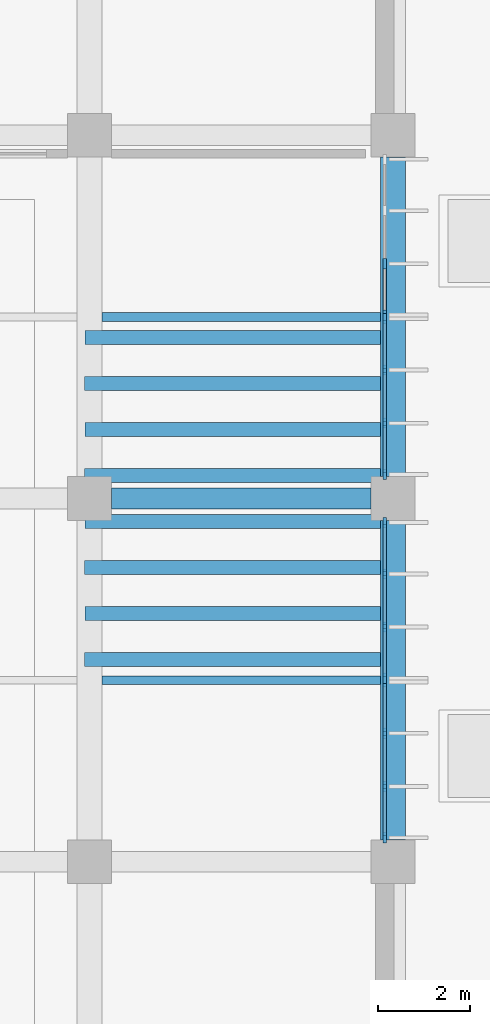
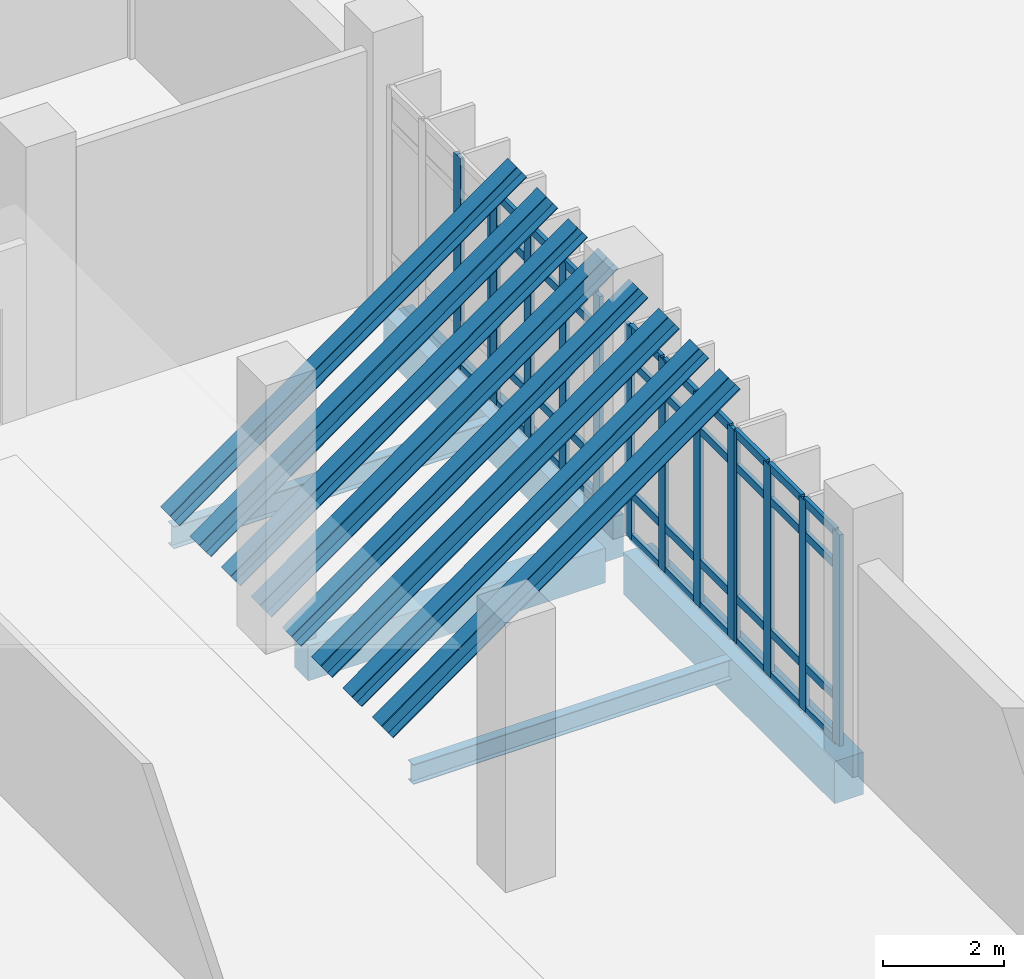
# One storey, part 37 of 79: 59 members, 5 beams, 4 elements without a shape of their own.
"""IFC4 building model written with IfcOpenShell, lengths in metres."""

from ifc_helpers import new_model, si_unit, direction, frame, origin, origin_2d, place, context, subcontext, project, spatial, rectangle, i_section, extrude, material, layer, layer_set, material_profile, profile_set, type_object, element, aggregate, save


model = new_model("IFC4")

# Units and contexts
model_context = context("Model", 3, precision=1e-05, world=origin(), true_north=direction((0.0, 1.0)))
body_context = subcontext(model_context, "Body", "Model", "MODEL_VIEW")
ifc_project = project(units=[si_unit("LENGTHUNIT", "METRE"), si_unit("AREAUNIT", "SQUARE_METRE"), si_unit("VOLUMEUNIT", "CUBIC_METRE"), si_unit("PLANEANGLEUNIT", "RADIAN"), si_unit("MASSUNIT", "GRAM", prefix="KILO")], contexts=[model_context])

# Site, building, storey
site_placement = place(None, origin())
site = spatial("IfcSite", under=ifc_project, at=site_placement, CompositionType="ELEMENT")
building_placement = place(site_placement, origin())
building = spatial("IfcBuilding", under=site, at=building_placement, Name="Kelarvand Opera House", CompositionType="ELEMENT")
storey_placement = place(building_placement, origin())
storey = spatial("IfcBuildingStorey", under=building, at=storey_placement, Name="L00", CompositionType="ELEMENT", Elevation=0.0)

# Curtain wall, members
ifc_material_1 = material(Name="Thermally broken aluminium and low-E glazing", Category="aluminium")
ifc_layer = layer(ifc_material_1, 0.219970703125, Name="Thermally broken aluminium and low-E glazing", Category="aluminium")
ifc_layer_set = layer_set([ifc_layer], Name="Thermally broken aluminium and low-E glazing")
curtain_wall_type = type_object("IfcCurtainWallType", Name="Unitised Low-E Curtain Wall 3461x4250 Mod 1150 CWF-01", PredefinedType="USERDEFINED", material=ifc_layer_set)
curtain_wall_1_placement = place(storey_placement, origin())
curtain_wall_1 = element("IfcCurtainWall", 1, at=curtain_wall_1_placement, inside=storey, type_object=curtain_wall_type, Name="V1 L00 Curtain Wall CWF-01 (1)", ObjectType="UNITISED CURTAIN WALL", PredefinedType="USERDEFINED")
ifc_material_2 = material(Name="Thermally broken anodised aluminium", Category="aluminium")
ifc_material_profile_1 = material_profile(ifc_material_2, rectangle(XDim=0.074951171875, YDim=0.219970703125, at=origin_2d()), Name="ALU MULLION 75x220", Category="aluminium")
ifc_profile_set_1 = profile_set([ifc_material_profile_1], Name="Thermally broken anodised aluminium")
member_type_1 = type_object("IfcMemberType", Name="Curtain Wall Mullion 75x220 Heavy Plaza", PredefinedType="MULLION", material=ifc_profile_set_1)
member_1_placement = place(storey_placement, frame((141.6201171875, 67.607666015625, 0.0), z_axis=(0.0, 0.0, 1.0), x_axis=(1.0, 0.0, 0.0)))
member_1 = element("IfcMember", 2, at=member_1_placement, type_object=member_type_1, Name="CWF-01 mullion 3", PredefinedType="MULLION", context=body_context, shape_type="SweptSolid", body=[
    extrude(rectangle(XDim=0.074951171875, YDim=0.219970703125, at=origin_2d()), origin(), (0.0, 0.0, 1.0), 4.25),
])
member_2_placement = place(storey_placement, frame((141.6201171875, 66.491455078125, 0.0), z_axis=(0.0, 0.0, 1.0), x_axis=(1.0, 0.0, 0.0)))
member_2 = element("IfcMember", 3, at=member_2_placement, type_object=member_type_1, Name="CWF-01 mullion 4", PredefinedType="MULLION", context=body_context, shape_type="SweptSolid", body=[
    extrude(rectangle(XDim=0.074951171875, YDim=0.219970703125, at=origin_2d()), origin(), (0.0, 0.0, 1.0), 4.25),
])

curtain_wall_2_placement = place(storey_placement, origin())
curtain_wall_2 = element("IfcCurtainWall", 4, at=curtain_wall_2_placement, inside=storey, type_object=curtain_wall_type, Name="V1 L00 Curtain Wall CWF-01 (2)", ObjectType="UNITISED CURTAIN WALL", PredefinedType="USERDEFINED")
member_3_placement = place(storey_placement, frame((141.6201171875, 66.41259765625, 0.0), z_axis=(0.0, 0.0, 1.0), x_axis=(1.0, 0.0, 0.0)))
member_3 = element("IfcMember", 5, at=member_3_placement, type_object=member_type_1, Name="CWF-01 mullion 1", PredefinedType="MULLION", context=body_context, shape_type="SweptSolid", body=[
    extrude(rectangle(XDim=0.074951171875, YDim=0.219970703125, at=origin_2d()), origin(), (0.0, 0.0, 1.0), 4.25),
])
member_4_placement = place(storey_placement, frame((141.6201171875, 65.294921875, 0.0), z_axis=(0.0, 0.0, 1.0), x_axis=(1.0, 0.0, 0.0)))
member_4 = element("IfcMember", 6, at=member_4_placement, type_object=member_type_1, Name="CWF-01 mullion 2", PredefinedType="MULLION", context=body_context, shape_type="SweptSolid", body=[
    extrude(rectangle(XDim=0.074951171875, YDim=0.219970703125, at=origin_2d()), origin(), (0.0, 0.0, 1.0), 4.25),
])
member_5_placement = place(storey_placement, frame((141.6201171875, 64.139892578125, 0.0), z_axis=(0.0, 0.0, 1.0), x_axis=(1.0, 0.0, 0.0)))
member_5 = element("IfcMember", 7, at=member_5_placement, type_object=member_type_1, Name="CWF-01 mullion 3", PredefinedType="MULLION", context=body_context, shape_type="SweptSolid", body=[
    extrude(rectangle(XDim=0.074951171875, YDim=0.219970703125, at=origin_2d()), origin(), (0.0, 0.0, 1.0), 4.25),
])
member_6_placement = place(storey_placement, frame((141.6201171875, 63.0224609375, 0.0), z_axis=(0.0, 0.0, 1.0), x_axis=(1.0, 0.0, 0.0)))
member_6 = element("IfcMember", 8, at=member_6_placement, type_object=member_type_1, Name="CWF-01 mullion 4", PredefinedType="MULLION", context=body_context, shape_type="SweptSolid", body=[
    extrude(rectangle(XDim=0.074951171875, YDim=0.219970703125, at=origin_2d()), origin(), (0.0, 0.0, 1.0), 4.25),
])

curtain_wall_3_placement = place(storey_placement, origin())
curtain_wall_3 = element("IfcCurtainWall", 9, at=curtain_wall_3_placement, inside=storey, type_object=curtain_wall_type, Name="V1 L00 Curtain Wall CWF-01 (3)", ObjectType="UNITISED CURTAIN WALL", PredefinedType="USERDEFINED")
member_7_placement = place(storey_placement, frame((141.6201171875, 61.9775390625, 0.0), z_axis=(0.0, 0.0, 1.0), x_axis=(1.0, 0.0, 0.0)))
member_7 = element("IfcMember", 10, at=member_7_placement, type_object=member_type_1, Name="CWF-01 mullion 1", PredefinedType="MULLION", context=body_context, shape_type="SweptSolid", body=[
    extrude(rectangle(XDim=0.074951171875, YDim=0.219970703125, at=origin_2d()), origin(), (0.0, 0.0, 1.0), 4.25),
])
member_8_placement = place(storey_placement, frame((141.6201171875, 60.861328125, 0.0), z_axis=(0.0, 0.0, 1.0), x_axis=(1.0, 0.0, 0.0)))
member_8 = element("IfcMember", 11, at=member_8_placement, type_object=member_type_1, Name="CWF-01 mullion 2", PredefinedType="MULLION", context=body_context, shape_type="SweptSolid", body=[
    extrude(rectangle(XDim=0.074951171875, YDim=0.219970703125, at=origin_2d()), origin(), (0.0, 0.0, 1.0), 4.25),
])
member_9_placement = place(storey_placement, frame((141.6201171875, 59.707763671875, 0.0), z_axis=(0.0, 0.0, 1.0), x_axis=(1.0, 0.0, 0.0)))
member_9 = element("IfcMember", 12, at=member_9_placement, type_object=member_type_1, Name="CWF-01 mullion 3", PredefinedType="MULLION", context=body_context, shape_type="SweptSolid", body=[
    extrude(rectangle(XDim=0.074951171875, YDim=0.219970703125, at=origin_2d()), origin(), (0.0, 0.0, 1.0), 4.25),
])
member_10_placement = place(storey_placement, frame((141.6201171875, 58.591552734375, 0.0), z_axis=(0.0, 0.0, 1.0), x_axis=(1.0, 0.0, 0.0)))
member_10 = element("IfcMember", 13, at=member_10_placement, type_object=member_type_1, Name="CWF-01 mullion 4", PredefinedType="MULLION", context=body_context, shape_type="SweptSolid", body=[
    extrude(rectangle(XDim=0.074951171875, YDim=0.219970703125, at=origin_2d()), origin(), (0.0, 0.0, 1.0), 4.25),
])

curtain_wall_4_placement = place(storey_placement, origin())
curtain_wall_4 = element("IfcCurtainWall", 14, at=curtain_wall_4_placement, inside=storey, type_object=curtain_wall_type, Name="V1 L00 Curtain Wall CWF-01 (4)", ObjectType="UNITISED CURTAIN WALL", PredefinedType="USERDEFINED")
member_11_placement = place(storey_placement, frame((141.6201171875, 58.512451171875, 0.0), z_axis=(0.0, 0.0, 1.0), x_axis=(1.0, 0.0, 0.0)))
member_11 = element("IfcMember", 15, at=member_11_placement, type_object=member_type_1, Name="CWF-01 mullion 1", PredefinedType="MULLION", context=body_context, shape_type="SweptSolid", body=[
    extrude(rectangle(XDim=0.074951171875, YDim=0.219970703125, at=origin_2d()), origin(), (0.0, 0.0, 1.0), 4.25),
])
member_12_placement = place(storey_placement, frame((141.6201171875, 57.39501953125, 0.0), z_axis=(0.0, 0.0, 1.0), x_axis=(1.0, 0.0, 0.0)))
member_12 = element("IfcMember", 16, at=member_12_placement, type_object=member_type_1, Name="CWF-01 mullion 2", PredefinedType="MULLION", context=body_context, shape_type="SweptSolid", body=[
    extrude(rectangle(XDim=0.074951171875, YDim=0.219970703125, at=origin_2d()), origin(), (0.0, 0.0, 1.0), 4.25),
])
member_13_placement = place(storey_placement, frame((141.6201171875, 56.239990234375, 0.0), z_axis=(0.0, 0.0, 1.0), x_axis=(1.0, 0.0, 0.0)))
member_13 = element("IfcMember", 17, at=member_13_placement, type_object=member_type_1, Name="CWF-01 mullion 3", PredefinedType="MULLION", context=body_context, shape_type="SweptSolid", body=[
    extrude(rectangle(XDim=0.074951171875, YDim=0.219970703125, at=origin_2d()), origin(), (0.0, 0.0, 1.0), 4.25),
])
member_14_placement = place(storey_placement, frame((141.6201171875, 55.12255859375, 0.0), z_axis=(0.0, 0.0, 1.0), x_axis=(1.0, 0.0, 0.0)))
member_14 = element("IfcMember", 18, at=member_14_placement, type_object=member_type_1, Name="CWF-01 mullion 4", PredefinedType="MULLION", context=body_context, shape_type="SweptSolid", body=[
    extrude(rectangle(XDim=0.074951171875, YDim=0.219970703125, at=origin_2d()), origin(), (0.0, 0.0, 1.0), 4.25),
])

# Member
ifc_material_profile_2 = material_profile(ifc_material_2, rectangle(XDim=0.074951171875, YDim=0.159912109375, at=origin_2d()), Name="ALU TRANSOM 75x160", Category="aluminium")
ifc_profile_set_2 = profile_set([ifc_material_profile_2], Name="Thermally broken anodised aluminium")
member_type_2 = type_object("IfcMemberType", Name="Curtain Wall Transom 75x160 Heavy Plaza", PredefinedType="USERDEFINED", material=ifc_profile_set_2)
member_15_placement = place(storey_placement, frame((141.6201171875, 67.570068359375, 0.03759765625), z_axis=(0.0, -1.0, 0.0), x_axis=(1.0, 0.0, 0.0)))
member_15 = element("IfcMember", 19, at=member_15_placement, type_object=member_type_2, Name="CWF-01 transom 3.1", ObjectType="TRANSOM", PredefinedType="USERDEFINED", context=body_context, shape_type="SweptSolid", body=[
    extrude(rectangle(XDim=0.074951171875, YDim=0.159912109375, at=origin_2d()), origin(), (0.0, 0.0, 1.0), 1.041015625),
])

aggregate(curtain_wall_1, [member_1, member_2, member_15])

member_16_placement = place(storey_placement, frame((141.6201171875, 66.375, 0.03759765625), z_axis=(0.0, -1.0, 0.0), x_axis=(1.0, 0.0, 0.0)))
member_16 = element("IfcMember", 20, at=member_16_placement, type_object=member_type_2, Name="CWF-01 transom 1.1", ObjectType="TRANSOM", PredefinedType="USERDEFINED", context=body_context, shape_type="SweptSolid", body=[
    extrude(rectangle(XDim=0.074951171875, YDim=0.159912109375, at=origin_2d()), origin(), (0.0, 0.0, 1.0), 1.04248046875),
])

member_17_placement = place(storey_placement, frame((141.6201171875, 66.375, 0.89990234375), z_axis=(0.0, -1.0, 0.0), x_axis=(1.0, 0.0, 0.0)))
member_17 = element("IfcMember", 21, at=member_17_placement, type_object=member_type_2, Name="CWF-01 transom 1.2", ObjectType="TRANSOM", PredefinedType="USERDEFINED", context=body_context, shape_type="SweptSolid", body=[
    extrude(rectangle(XDim=0.074951171875, YDim=0.159912109375, at=origin_2d()), origin(), (0.0, 0.0, 1.0), 1.04248046875),
])

member_18_placement = place(storey_placement, frame((141.6201171875, 66.375, 3.550048828125), z_axis=(0.0, -1.0, 0.0), x_axis=(1.0, 0.0, 0.0)))
member_18 = element("IfcMember", 22, at=member_18_placement, type_object=member_type_2, Name="CWF-01 transom 1.3", ObjectType="TRANSOM", PredefinedType="USERDEFINED", context=body_context, shape_type="SweptSolid", body=[
    extrude(rectangle(XDim=0.074951171875, YDim=0.159912109375, at=origin_2d()), origin(), (0.0, 0.0, 1.0), 1.04248046875),
])

member_19_placement = place(storey_placement, frame((141.6201171875, 66.375, 4.21240234375), z_axis=(0.0, -1.0, 0.0), x_axis=(1.0, 0.0, 0.0)))
member_19 = element("IfcMember", 23, at=member_19_placement, type_object=member_type_2, Name="CWF-01 transom 1.4", ObjectType="TRANSOM", PredefinedType="USERDEFINED", context=body_context, shape_type="SweptSolid", body=[
    extrude(rectangle(XDim=0.074951171875, YDim=0.159912109375, at=origin_2d()), origin(), (0.0, 0.0, 1.0), 1.04248046875),
])

member_20_placement = place(storey_placement, frame((141.6201171875, 65.257568359375, 0.03759765625), z_axis=(0.0, -1.0, 0.0), x_axis=(1.0, 0.0, 0.0)))
member_20 = element("IfcMember", 24, at=member_20_placement, type_object=member_type_2, Name="CWF-01 transom 2.1", ObjectType="TRANSOM", PredefinedType="USERDEFINED", context=body_context, shape_type="SweptSolid", body=[
    extrude(rectangle(XDim=0.074951171875, YDim=0.159912109375, at=origin_2d()), origin(), (0.0, 0.0, 1.0), 1.080078125),
])

member_21_placement = place(storey_placement, frame((141.6201171875, 65.257568359375, 0.89990234375), z_axis=(0.0, -1.0, 0.0), x_axis=(1.0, 0.0, 0.0)))
member_21 = element("IfcMember", 25, at=member_21_placement, type_object=member_type_2, Name="CWF-01 transom 2.2", ObjectType="TRANSOM", PredefinedType="USERDEFINED", context=body_context, shape_type="SweptSolid", body=[
    extrude(rectangle(XDim=0.074951171875, YDim=0.159912109375, at=origin_2d()), origin(), (0.0, 0.0, 1.0), 1.080078125),
])

member_22_placement = place(storey_placement, frame((141.6201171875, 65.257568359375, 3.550048828125), z_axis=(0.0, -1.0, 0.0), x_axis=(1.0, 0.0, 0.0)))
member_22 = element("IfcMember", 26, at=member_22_placement, type_object=member_type_2, Name="CWF-01 transom 2.3", ObjectType="TRANSOM", PredefinedType="USERDEFINED", context=body_context, shape_type="SweptSolid", body=[
    extrude(rectangle(XDim=0.074951171875, YDim=0.159912109375, at=origin_2d()), origin(), (0.0, 0.0, 1.0), 1.080078125),
])

member_23_placement = place(storey_placement, frame((141.6201171875, 65.257568359375, 4.21240234375), z_axis=(0.0, -1.0, 0.0), x_axis=(1.0, 0.0, 0.0)))
member_23 = element("IfcMember", 27, at=member_23_placement, type_object=member_type_2, Name="CWF-01 transom 2.4", ObjectType="TRANSOM", PredefinedType="USERDEFINED", context=body_context, shape_type="SweptSolid", body=[
    extrude(rectangle(XDim=0.074951171875, YDim=0.159912109375, at=origin_2d()), origin(), (0.0, 0.0, 1.0), 1.080078125),
])

member_24_placement = place(storey_placement, frame((141.6201171875, 64.1025390625, 0.03759765625), z_axis=(0.0, -1.0, 0.0), x_axis=(1.0, 0.0, 0.0)))
member_24 = element("IfcMember", 28, at=member_24_placement, type_object=member_type_2, Name="CWF-01 transom 3.1", ObjectType="TRANSOM", PredefinedType="USERDEFINED", context=body_context, shape_type="SweptSolid", body=[
    extrude(rectangle(XDim=0.074951171875, YDim=0.159912109375, at=origin_2d()), origin(), (0.0, 0.0, 1.0), 1.04248046875),
])

member_25_placement = place(storey_placement, frame((141.6201171875, 64.1025390625, 0.89990234375), z_axis=(0.0, -1.0, 0.0), x_axis=(1.0, 0.0, 0.0)))
member_25 = element("IfcMember", 29, at=member_25_placement, type_object=member_type_2, Name="CWF-01 transom 3.2", ObjectType="TRANSOM", PredefinedType="USERDEFINED", context=body_context, shape_type="SweptSolid", body=[
    extrude(rectangle(XDim=0.074951171875, YDim=0.159912109375, at=origin_2d()), origin(), (0.0, 0.0, 1.0), 1.04248046875),
])

member_26_placement = place(storey_placement, frame((141.6201171875, 64.1025390625, 3.550048828125), z_axis=(0.0, -1.0, 0.0), x_axis=(1.0, 0.0, 0.0)))
member_26 = element("IfcMember", 30, at=member_26_placement, type_object=member_type_2, Name="CWF-01 transom 3.3", ObjectType="TRANSOM", PredefinedType="USERDEFINED", context=body_context, shape_type="SweptSolid", body=[
    extrude(rectangle(XDim=0.074951171875, YDim=0.159912109375, at=origin_2d()), origin(), (0.0, 0.0, 1.0), 1.04248046875),
])

member_27_placement = place(storey_placement, frame((141.6201171875, 64.1025390625, 4.21240234375), z_axis=(0.0, -1.0, 0.0), x_axis=(1.0, 0.0, 0.0)))
member_27 = element("IfcMember", 31, at=member_27_placement, type_object=member_type_2, Name="CWF-01 transom 3.4", ObjectType="TRANSOM", PredefinedType="USERDEFINED", context=body_context, shape_type="SweptSolid", body=[
    extrude(rectangle(XDim=0.074951171875, YDim=0.159912109375, at=origin_2d()), origin(), (0.0, 0.0, 1.0), 1.04248046875),
])

aggregate(curtain_wall_2, [member_3, member_4, member_5, member_6, member_16, member_17, member_18, member_19, member_20, member_21, member_22, member_23, member_24, member_25, member_26, member_27])

member_28_placement = place(storey_placement, frame((141.6201171875, 61.93994140625, 0.03759765625), z_axis=(0.0, -1.0, 0.0), x_axis=(1.0, 0.0, 0.0)))
member_28 = element("IfcMember", 32, at=member_28_placement, type_object=member_type_2, Name="CWF-01 transom 1.1", ObjectType="TRANSOM", PredefinedType="USERDEFINED", context=body_context, shape_type="SweptSolid", body=[
    extrude(rectangle(XDim=0.074951171875, YDim=0.159912109375, at=origin_2d()), origin(), (0.0, 0.0, 1.0), 1.041015625),
])

member_29_placement = place(storey_placement, frame((141.6201171875, 61.93994140625, 0.89990234375), z_axis=(0.0, -1.0, 0.0), x_axis=(1.0, 0.0, 0.0)))
member_29 = element("IfcMember", 33, at=member_29_placement, type_object=member_type_2, Name="CWF-01 transom 1.2", ObjectType="TRANSOM", PredefinedType="USERDEFINED", context=body_context, shape_type="SweptSolid", body=[
    extrude(rectangle(XDim=0.074951171875, YDim=0.159912109375, at=origin_2d()), origin(), (0.0, 0.0, 1.0), 1.041015625),
])

member_30_placement = place(storey_placement, frame((141.6201171875, 61.93994140625, 3.550048828125), z_axis=(0.0, -1.0, 0.0), x_axis=(1.0, 0.0, 0.0)))
member_30 = element("IfcMember", 34, at=member_30_placement, type_object=member_type_2, Name="CWF-01 transom 1.3", ObjectType="TRANSOM", PredefinedType="USERDEFINED", context=body_context, shape_type="SweptSolid", body=[
    extrude(rectangle(XDim=0.074951171875, YDim=0.159912109375, at=origin_2d()), origin(), (0.0, 0.0, 1.0), 1.041015625),
])

member_31_placement = place(storey_placement, frame((141.6201171875, 61.93994140625, 4.21240234375), z_axis=(0.0, -1.0, 0.0), x_axis=(1.0, 0.0, 0.0)))
member_31 = element("IfcMember", 35, at=member_31_placement, type_object=member_type_2, Name="CWF-01 transom 1.4", ObjectType="TRANSOM", PredefinedType="USERDEFINED", context=body_context, shape_type="SweptSolid", body=[
    extrude(rectangle(XDim=0.074951171875, YDim=0.159912109375, at=origin_2d()), origin(), (0.0, 0.0, 1.0), 1.041015625),
])

member_32_placement = place(storey_placement, frame((141.6201171875, 60.82373046875, 0.03759765625), z_axis=(0.0, -1.0, 0.0), x_axis=(1.0, 0.0, 0.0)))
member_32 = element("IfcMember", 36, at=member_32_placement, type_object=member_type_2, Name="CWF-01 transom 2.1", ObjectType="TRANSOM", PredefinedType="USERDEFINED", context=body_context, shape_type="SweptSolid", body=[
    extrude(rectangle(XDim=0.074951171875, YDim=0.159912109375, at=origin_2d()), origin(), (0.0, 0.0, 1.0), 1.07861328125),
])

member_33_placement = place(storey_placement, frame((141.6201171875, 60.82373046875, 0.89990234375), z_axis=(0.0, -1.0, 0.0), x_axis=(1.0, 0.0, 0.0)))
member_33 = element("IfcMember", 37, at=member_33_placement, type_object=member_type_2, Name="CWF-01 transom 2.2", ObjectType="TRANSOM", PredefinedType="USERDEFINED", context=body_context, shape_type="SweptSolid", body=[
    extrude(rectangle(XDim=0.074951171875, YDim=0.159912109375, at=origin_2d()), origin(), (0.0, 0.0, 1.0), 1.07861328125),
])

member_34_placement = place(storey_placement, frame((141.6201171875, 60.82373046875, 3.550048828125), z_axis=(0.0, -1.0, 0.0), x_axis=(1.0, 0.0, 0.0)))
member_34 = element("IfcMember", 38, at=member_34_placement, type_object=member_type_2, Name="CWF-01 transom 2.3", ObjectType="TRANSOM", PredefinedType="USERDEFINED", context=body_context, shape_type="SweptSolid", body=[
    extrude(rectangle(XDim=0.074951171875, YDim=0.159912109375, at=origin_2d()), origin(), (0.0, 0.0, 1.0), 1.07861328125),
])

member_35_placement = place(storey_placement, frame((141.6201171875, 60.82373046875, 4.21240234375), z_axis=(0.0, -1.0, 0.0), x_axis=(1.0, 0.0, 0.0)))
member_35 = element("IfcMember", 39, at=member_35_placement, type_object=member_type_2, Name="CWF-01 transom 2.4", ObjectType="TRANSOM", PredefinedType="USERDEFINED", context=body_context, shape_type="SweptSolid", body=[
    extrude(rectangle(XDim=0.074951171875, YDim=0.159912109375, at=origin_2d()), origin(), (0.0, 0.0, 1.0), 1.07861328125),
])

member_36_placement = place(storey_placement, frame((141.6201171875, 59.670166015625, 0.03759765625), z_axis=(0.0, -1.0, 0.0), x_axis=(1.0, 0.0, 0.0)))
member_36 = element("IfcMember", 40, at=member_36_placement, type_object=member_type_2, Name="CWF-01 transom 3.1", ObjectType="TRANSOM", PredefinedType="USERDEFINED", context=body_context, shape_type="SweptSolid", body=[
    extrude(rectangle(XDim=0.074951171875, YDim=0.159912109375, at=origin_2d()), origin(), (0.0, 0.0, 1.0), 1.041259765625),
])

member_37_placement = place(storey_placement, frame((141.6201171875, 59.670166015625, 0.89990234375), z_axis=(0.0, -1.0, 0.0), x_axis=(1.0, 0.0, 0.0)))
member_37 = element("IfcMember", 41, at=member_37_placement, type_object=member_type_2, Name="CWF-01 transom 3.2", ObjectType="TRANSOM", PredefinedType="USERDEFINED", context=body_context, shape_type="SweptSolid", body=[
    extrude(rectangle(XDim=0.074951171875, YDim=0.159912109375, at=origin_2d()), origin(), (0.0, 0.0, 1.0), 1.041259765625),
])

member_38_placement = place(storey_placement, frame((141.6201171875, 59.670166015625, 3.550048828125), z_axis=(0.0, -1.0, 0.0), x_axis=(1.0, 0.0, 0.0)))
member_38 = element("IfcMember", 42, at=member_38_placement, type_object=member_type_2, Name="CWF-01 transom 3.3", ObjectType="TRANSOM", PredefinedType="USERDEFINED", context=body_context, shape_type="SweptSolid", body=[
    extrude(rectangle(XDim=0.074951171875, YDim=0.159912109375, at=origin_2d()), origin(), (0.0, 0.0, 1.0), 1.041259765625),
])

member_39_placement = place(storey_placement, frame((141.6201171875, 59.670166015625, 4.21240234375), z_axis=(0.0, -1.0, 0.0), x_axis=(1.0, 0.0, 0.0)))
member_39 = element("IfcMember", 43, at=member_39_placement, type_object=member_type_2, Name="CWF-01 transom 3.4", ObjectType="TRANSOM", PredefinedType="USERDEFINED", context=body_context, shape_type="SweptSolid", body=[
    extrude(rectangle(XDim=0.074951171875, YDim=0.159912109375, at=origin_2d()), origin(), (0.0, 0.0, 1.0), 1.041259765625),
])

aggregate(curtain_wall_3, [member_7, member_8, member_9, member_10, member_28, member_29, member_30, member_31, member_32, member_33, member_34, member_35, member_36, member_37, member_38, member_39])

member_40_placement = place(storey_placement, frame((141.6201171875, 58.47509765625, 0.03759765625), z_axis=(0.0, -1.0, 0.0), x_axis=(1.0, 0.0, 0.0)))
member_40 = element("IfcMember", 44, at=member_40_placement, type_object=member_type_2, Name="CWF-01 transom 1.1", ObjectType="TRANSOM", PredefinedType="USERDEFINED", context=body_context, shape_type="SweptSolid", body=[
    extrude(rectangle(XDim=0.074951171875, YDim=0.159912109375, at=origin_2d()), origin(), (0.0, 0.0, 1.0), 1.04248046875),
])

member_41_placement = place(storey_placement, frame((141.6201171875, 58.47509765625, 0.89990234375), z_axis=(0.0, -1.0, 0.0), x_axis=(1.0, 0.0, 0.0)))
member_41 = element("IfcMember", 45, at=member_41_placement, type_object=member_type_2, Name="CWF-01 transom 1.2", ObjectType="TRANSOM", PredefinedType="USERDEFINED", context=body_context, shape_type="SweptSolid", body=[
    extrude(rectangle(XDim=0.074951171875, YDim=0.159912109375, at=origin_2d()), origin(), (0.0, 0.0, 1.0), 1.04248046875),
])

member_42_placement = place(storey_placement, frame((141.6201171875, 58.47509765625, 3.550048828125), z_axis=(0.0, -1.0, 0.0), x_axis=(1.0, 0.0, 0.0)))
member_42 = element("IfcMember", 46, at=member_42_placement, type_object=member_type_2, Name="CWF-01 transom 1.3", ObjectType="TRANSOM", PredefinedType="USERDEFINED", context=body_context, shape_type="SweptSolid", body=[
    extrude(rectangle(XDim=0.074951171875, YDim=0.159912109375, at=origin_2d()), origin(), (0.0, 0.0, 1.0), 1.04248046875),
])

member_43_placement = place(storey_placement, frame((141.6201171875, 58.47509765625, 4.21240234375), z_axis=(0.0, -1.0, 0.0), x_axis=(1.0, 0.0, 0.0)))
member_43 = element("IfcMember", 47, at=member_43_placement, type_object=member_type_2, Name="CWF-01 transom 1.4", ObjectType="TRANSOM", PredefinedType="USERDEFINED", context=body_context, shape_type="SweptSolid", body=[
    extrude(rectangle(XDim=0.074951171875, YDim=0.159912109375, at=origin_2d()), origin(), (0.0, 0.0, 1.0), 1.04248046875),
])

member_44_placement = place(storey_placement, frame((141.6201171875, 57.357421875, 0.03759765625), z_axis=(0.0, -1.0, 0.0), x_axis=(1.0, 0.0, 0.0)))
member_44 = element("IfcMember", 48, at=member_44_placement, type_object=member_type_2, Name="CWF-01 transom 2.1", ObjectType="TRANSOM", PredefinedType="USERDEFINED", context=body_context, shape_type="SweptSolid", body=[
    extrude(rectangle(XDim=0.074951171875, YDim=0.159912109375, at=origin_2d()), origin(), (0.0, 0.0, 1.0), 1.079833984375),
])

member_45_placement = place(storey_placement, frame((141.6201171875, 57.357421875, 0.89990234375), z_axis=(0.0, -1.0, 0.0), x_axis=(1.0, 0.0, 0.0)))
member_45 = element("IfcMember", 49, at=member_45_placement, type_object=member_type_2, Name="CWF-01 transom 2.2", ObjectType="TRANSOM", PredefinedType="USERDEFINED", context=body_context, shape_type="SweptSolid", body=[
    extrude(rectangle(XDim=0.074951171875, YDim=0.159912109375, at=origin_2d()), origin(), (0.0, 0.0, 1.0), 1.079833984375),
])

member_46_placement = place(storey_placement, frame((141.6201171875, 57.357421875, 3.550048828125), z_axis=(0.0, -1.0, 0.0), x_axis=(1.0, 0.0, 0.0)))
member_46 = element("IfcMember", 50, at=member_46_placement, type_object=member_type_2, Name="CWF-01 transom 2.3", ObjectType="TRANSOM", PredefinedType="USERDEFINED", context=body_context, shape_type="SweptSolid", body=[
    extrude(rectangle(XDim=0.074951171875, YDim=0.159912109375, at=origin_2d()), origin(), (0.0, 0.0, 1.0), 1.079833984375),
])

member_47_placement = place(storey_placement, frame((141.6201171875, 57.357421875, 4.21240234375), z_axis=(0.0, -1.0, 0.0), x_axis=(1.0, 0.0, 0.0)))
member_47 = element("IfcMember", 51, at=member_47_placement, type_object=member_type_2, Name="CWF-01 transom 2.4", ObjectType="TRANSOM", PredefinedType="USERDEFINED", context=body_context, shape_type="SweptSolid", body=[
    extrude(rectangle(XDim=0.074951171875, YDim=0.159912109375, at=origin_2d()), origin(), (0.0, 0.0, 1.0), 1.079833984375),
])

member_48_placement = place(storey_placement, frame((141.6201171875, 56.202392578125, 0.03759765625), z_axis=(0.0, -1.0, 0.0), x_axis=(1.0, 0.0, 0.0)))
member_48 = element("IfcMember", 52, at=member_48_placement, type_object=member_type_2, Name="CWF-01 transom 3.1", ObjectType="TRANSOM", PredefinedType="USERDEFINED", context=body_context, shape_type="SweptSolid", body=[
    extrude(rectangle(XDim=0.074951171875, YDim=0.159912109375, at=origin_2d()), origin(), (0.0, 0.0, 1.0), 1.04248046875),
])

member_49_placement = place(storey_placement, frame((141.6201171875, 56.202392578125, 0.89990234375), z_axis=(0.0, -1.0, 0.0), x_axis=(1.0, 0.0, 0.0)))
member_49 = element("IfcMember", 53, at=member_49_placement, type_object=member_type_2, Name="CWF-01 transom 3.2", ObjectType="TRANSOM", PredefinedType="USERDEFINED", context=body_context, shape_type="SweptSolid", body=[
    extrude(rectangle(XDim=0.074951171875, YDim=0.159912109375, at=origin_2d()), origin(), (0.0, 0.0, 1.0), 1.04248046875),
])

member_50_placement = place(storey_placement, frame((141.6201171875, 56.202392578125, 3.550048828125), z_axis=(0.0, -1.0, 0.0), x_axis=(1.0, 0.0, 0.0)))
member_50 = element("IfcMember", 54, at=member_50_placement, type_object=member_type_2, Name="CWF-01 transom 3.3", ObjectType="TRANSOM", PredefinedType="USERDEFINED", context=body_context, shape_type="SweptSolid", body=[
    extrude(rectangle(XDim=0.074951171875, YDim=0.159912109375, at=origin_2d()), origin(), (0.0, 0.0, 1.0), 1.04248046875),
])

member_51_placement = place(storey_placement, frame((141.6201171875, 56.202392578125, 4.21240234375), z_axis=(0.0, -1.0, 0.0), x_axis=(1.0, 0.0, 0.0)))
member_51 = element("IfcMember", 55, at=member_51_placement, type_object=member_type_2, Name="CWF-01 transom 3.4", ObjectType="TRANSOM", PredefinedType="USERDEFINED", context=body_context, shape_type="SweptSolid", body=[
    extrude(rectangle(XDim=0.074951171875, YDim=0.159912109375, at=origin_2d()), origin(), (0.0, 0.0, 1.0), 1.04248046875),
])

aggregate(curtain_wall_4, [member_11, member_12, member_13, member_14, member_40, member_41, member_42, member_43, member_44, member_45, member_46, member_47, member_48, member_49, member_50, member_51])

# Beams
ifc_material_3 = material(Name="Concrete C40/50", Category="concrete")
ifc_material_profile_3 = material_profile(ifc_material_3, rectangle(XDim=0.449951171875, YDim=0.699951171875, at=origin_2d()), Name="RC 450x700", Category="concrete")
ifc_profile_set_3 = profile_set([ifc_material_profile_3], Name="Concrete C40/50")
beam_type_1 = type_object("IfcBeamType", Name="Structural Beam RC 450x700 BM-RC450x700", PredefinedType="BEAM", material=ifc_profile_set_3)
beam_1_placement = place(storey_placement, frame((135.675048828125, 62.5, -0.669921875), z_axis=(1.0, 0.0, 0.0), x_axis=(0.0, 1.0, 0.0)))
element("IfcBeam", 56, at=beam_1_placement, inside=storey, type_object=beam_type_1, Name="V1 L00 Beam BM-RC450x700", PredefinedType="BEAM", context=body_context, shape_type="SweptSolid", body=[
    extrude(rectangle(XDim=0.449951171875, YDim=0.699951171875, at=origin_2d()), origin(), (0.0, 0.0, 1.0), 5.64990234375),
])
ifc_material_profile_4 = material_profile(ifc_material_3, rectangle(XDim=0.550048828125, YDim=0.85009765625, at=origin_2d()), Name="RC 550x850", Category="concrete")
ifc_profile_set_4 = profile_set([ifc_material_profile_4], Name="Concrete C40/50")
beam_type_2 = type_object("IfcBeamType", Name="Structural Beam RC 550x850 BM-RC550x850", PredefinedType="BEAM", material=ifc_profile_set_4)
for number, where, z_axis, x_axis, name in (
    (57, (141.800048828125, 55.074951171875, -0.7451171875), (0.0, 1.0, 0.0), (-1.0, 0.0, 0.0), "V1 L00 Beam BM-RC550x850"),
    (58, (141.800048828125, 62.97509765625, -0.7451171875), (0.0, 1.0, 0.0), (-1.0, 0.0, 0.0), "V1 L00 Beam BM-RC550x850"),
):
    element("IfcBeam", number, at=place(storey_placement, frame(where, z_axis=z_axis, x_axis=x_axis)), inside=storey, type_object=beam_type_2, Name=name, PredefinedType="BEAM", context=body_context, shape_type="SweptSolid", body=[
        extrude(rectangle(XDim=0.550048828125, YDim=0.85009765625, at=origin_2d()), origin(), (0.0, 0.0, 1.0), 6.949951171875),
    ])
ifc_material_4 = material(Name="Steel S355", Category="steel")
ifc_material_profile_5 = material_profile(ifc_material_4, i_section(OverallWidth=0.179931640625, OverallDepth=0.39990234375, WebThickness=0.008544921875, FlangeThickness=0.013427734375, at=origin_2d()), Name="IPE 400", Category="steel")
ifc_profile_set_5 = profile_set([ifc_material_profile_5], Name="Steel S355")
beam_type_3 = type_object("IfcBeamType", Name="Structural Joist IPE 400 JS-IPE400", PredefinedType="JOIST", material=ifc_profile_set_5)
beam_2_placement = place(storey_placement, frame((135.47509765625, 58.550048828125, -0.52001953125), z_axis=(1.0, 0.0, 0.0), x_axis=(0.0, 1.0, 0.0)))
element("IfcBeam", 59, at=beam_2_placement, inside=storey, type_object=beam_type_3, Name="V1 L00 Beam JS-IPE400", PredefinedType="JOIST", context=body_context, shape_type="SweptSolid", body=[
    extrude(i_section(OverallWidth=0.179931640625, OverallDepth=0.39990234375, WebThickness=0.008544921875, FlangeThickness=0.013427734375, at=origin_2d()), origin(), (0.0, 0.0, 1.0), 6.0498046875),
])
ifc_material_profile_6 = material_profile(ifc_material_4, i_section(OverallWidth=0.18994140625, OverallDepth=0.449951171875, WebThickness=0.009521484375, FlangeThickness=0.0146484375, at=origin_2d()), Name="IPE 450", Category="steel")
ifc_profile_set_6 = profile_set([ifc_material_profile_6], Name="Steel S355")
beam_type_4 = type_object("IfcBeamType", Name="Structural Joist IPE 450 JS-IPE450", PredefinedType="JOIST", material=ifc_profile_set_6)
beam_3_placement = place(storey_placement, frame((135.47509765625, 66.449951171875, -0.544921875), z_axis=(1.0, 0.0, 0.0), x_axis=(0.0, 1.0, 0.0)))
element("IfcBeam", 60, at=beam_3_placement, inside=storey, type_object=beam_type_4, Name="V1 L00 Beam JS-IPE450", PredefinedType="JOIST", context=body_context, shape_type="SweptSolid", body=[
    extrude(i_section(OverallWidth=0.18994140625, OverallDepth=0.449951171875, WebThickness=0.009521484375, FlangeThickness=0.0146484375, at=origin_2d()), origin(), (0.0, 0.0, 1.0), 6.0498046875),
])

# Members
ifc_material_profile_7 = material_profile(ifc_material_4, i_section(OverallWidth=0.300048828125, OverallDepth=0.330078125, WebThickness=0.009521484375, FlangeThickness=0.0166015625, at=origin_2d()), Name="HEA 340", Category="steel")
ifc_profile_set_7 = profile_set([ifc_material_profile_7], Name="Steel S355")
member_type_3 = type_object("IfcMemberType", Name="Structural Stringer HEA 340 SR-HEA340", PredefinedType="STRINGER", material=ifc_profile_set_7)
for number, where, z_axis, x_axis, name in (
    (61, (135.199951171875, 60.0, 0.199951171875), (0.814573449907, 0.0, 0.580060423324), (0.0, 1.0, 0.0), "Foyer Feature Stair Stringer 2"),
    (62, (135.199951171875, 62.0, 0.199951171875), (0.814573449907, 0.0, 0.580060423324), (0.0, 1.0, 0.0), "Foyer Feature Stair Stringer 4"),
    (63, (135.199951171875, 64.0, 0.199951171875), (0.814573449907, 0.0, 0.580060423324), (0.0, 1.0, 0.0), "Foyer Feature Stair Stringer 6"),
    (64, (135.199951171875, 66.0, 0.199951171875), (0.814573449907, 0.0, 0.580060423324), (0.0, 1.0, 0.0), "Foyer Feature Stair Stringer 8"),
):
    element("IfcMember", number, at=place(storey_placement, frame(where, z_axis=z_axis, x_axis=x_axis)), inside=storey, type_object=member_type_3, Name=name, PredefinedType="STRINGER", context=body_context, shape_type="SweptSolid", body=[
        extrude(i_section(OverallWidth=0.300048828125, OverallDepth=0.330078125, WebThickness=0.009521484375, FlangeThickness=0.0166015625, at=origin_2d()), origin(), (0.0, 0.0, 1.0), 8.1025390625),
    ])
ifc_material_profile_8 = material_profile(ifc_material_4, i_section(OverallWidth=0.300048828125, OverallDepth=0.389892578125, WebThickness=0.010986328125, FlangeThickness=0.01904296875, at=origin_2d()), Name="HEA 400", Category="steel")
ifc_profile_set_8 = profile_set([ifc_material_profile_8], Name="Steel S355")
member_type_4 = type_object("IfcMemberType", Name="Structural Stringer HEA 400 SR-HEA400", PredefinedType="STRINGER", material=ifc_profile_set_8)
for number, where, z_axis, x_axis, name in (
    (65, (135.199951171875, 59.0, 0.199951171875), (0.814573449907, 0.0, 0.580060423324), (0.0, 1.0, 0.0), "Foyer Feature Stair Stringer 1"),
    (66, (135.199951171875, 61.0, 0.199951171875), (0.814573449907, 0.0, 0.580060423324), (0.0, 1.0, 0.0), "Foyer Feature Stair Stringer 3"),
    (67, (135.199951171875, 63.0, 0.199951171875), (0.814573449907, 0.0, 0.580060423324), (0.0, 1.0, 0.0), "Foyer Feature Stair Stringer 5"),
    (68, (135.199951171875, 65.0, 0.199951171875), (0.814573449907, 0.0, 0.580060423324), (0.0, 1.0, 0.0), "Foyer Feature Stair Stringer 7"),
):
    element("IfcMember", number, at=place(storey_placement, frame(where, z_axis=z_axis, x_axis=x_axis)), inside=storey, type_object=member_type_4, Name=name, PredefinedType="STRINGER", context=body_context, shape_type="SweptSolid", body=[
        extrude(i_section(OverallWidth=0.300048828125, OverallDepth=0.389892578125, WebThickness=0.010986328125, FlangeThickness=0.01904296875, at=origin_2d()), origin(), (0.0, 0.0, 1.0), 8.1025390625),
    ])

save(model, "model.ifc")
